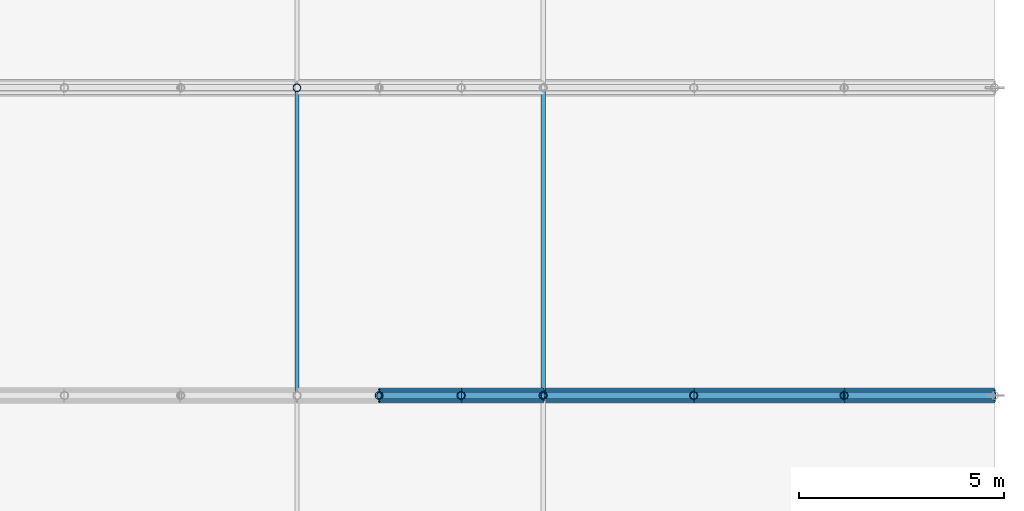
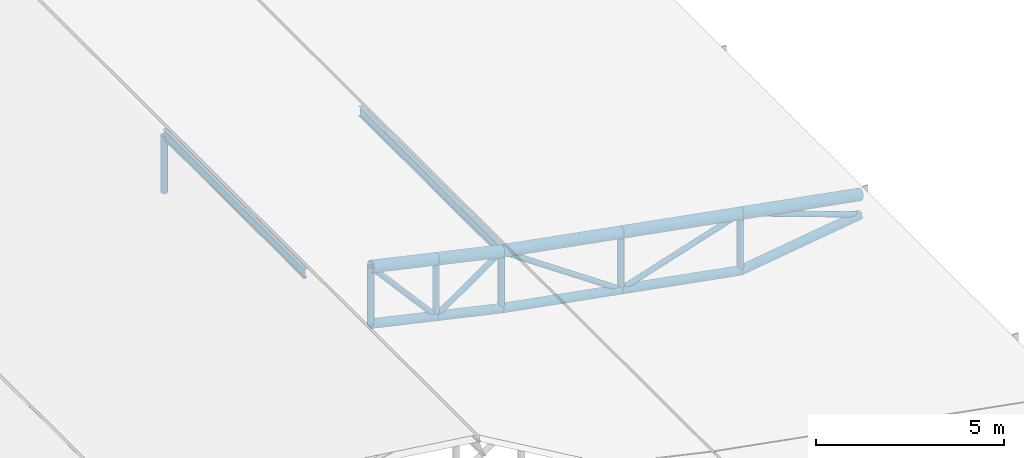
# One storey, part 16 of 28: 18 members, 5 beams.
"""IFC4 building model written with IfcOpenShell, lengths in metres."""

from ifc_helpers import new_model, si_unit, direction, frame, origin, origin_2d, place, context, subcontext, project, spatial, hollow_circle, i_section, extrude, material, material_profile, profile_set, type_object, element, save


model = new_model("IFC4")

# Units and contexts
model_context = context("Model", 3, precision=1e-05, world=origin(), true_north=direction((0.0, 1.0)))
body_context = subcontext(model_context, "Body", "Model", "MODEL_VIEW")
ifc_project = project(units=[si_unit("LENGTHUNIT", "METRE"), si_unit("AREAUNIT", "SQUARE_METRE"), si_unit("VOLUMEUNIT", "CUBIC_METRE"), si_unit("PLANEANGLEUNIT", "RADIAN"), si_unit("MASSUNIT", "GRAM", prefix="KILO"), si_unit("THERMODYNAMICTEMPERATUREUNIT", "KELVIN"), si_unit("POWERUNIT", "WATT")], contexts=[model_context])

# Site, building, storey
site_placement = place(None, origin())
site = spatial("IfcSite", under=ifc_project, at=site_placement, CompositionType="ELEMENT")
building_placement = place(site_placement, origin())
building = spatial("IfcBuilding", under=site, at=building_placement, Name="Tepalcoro Natatorium and Aquatics Centre", CompositionType="ELEMENT")
storey_placement = place(building_placement, frame((0.0, 0.0, 23.199951171875)))
storey = spatial("IfcBuildingStorey", under=building, at=storey_placement, Name="RF", CompositionType="ELEMENT", Elevation=23.199951171875)

# Beams
ifc_material_1 = material(Name="Terracotta Painted Hollow Steel ASTM A500 Grade C (Fy 345 MPa)", Category="masonry")
ifc_material_profile_1 = material_profile(ifc_material_1, hollow_circle(Radius=0.177978515625, WallThickness=0.01611328125, at=origin_2d()), Name="CHS356X16")
ifc_profile_set_1 = profile_set([ifc_material_profile_1], Name="Terracotta Painted Hollow Steel ASTM A500 Grade C (Fy 345 MPa)")
beam_type = type_object("IfcBeamType", Name="AC_CHS356x16", PredefinedType="USERDEFINED", material=ifc_profile_set_1)
for number, where, z_axis, x_axis, name in (
    (1, (161.0, 44.0, -0.73095703125), (0.97561485681, 0.0, -0.21948952406), (0.0, 1.0, 0.0), "V2 Barrel-Arch Top Chord 6"),
    (2, (163.0, 44.0, -1.180908203125), (0.97561485681, 0.0, -0.21948952406), (0.0, 1.0, 0.0), "V2 Barrel-Arch Top Chord 6"),
):
    element("IfcBeam", number, at=place(storey_placement, frame(where, z_axis=z_axis, x_axis=x_axis)), inside=storey, type_object=beam_type, Name=name, ObjectType="ARCH CHORD", PredefinedType="USERDEFINED", context=body_context, shape_type="SweptSolid", body=[
        extrude(hollow_circle(Radius=0.177978515625, WallThickness=0.01611328125, at=origin_2d()), origin(), (0.0, 0.0, 1.0), 2.050048828125),
    ])
beam_1_placement = place(storey_placement, frame((165.0, 44.0, -1.630859375), z_axis=(0.983704964567, 0.0, -0.179790274169), x_axis=(0.0, 1.0, 0.0)))
element("IfcBeam", 3, at=beam_1_placement, inside=storey, type_object=beam_type, Name="V2 Barrel-Arch Top Chord 6", ObjectType="ARCH CHORD", PredefinedType="USERDEFINED", context=body_context, shape_type="SweptSolid", body=[
    extrude(hollow_circle(Radius=0.177978515625, WallThickness=0.01611328125, at=origin_2d()), origin(), (0.0, 0.0, 1.0), 3.7275390625),
])
beam_2_placement = place(storey_placement, frame((168.666748046875, 44.0, -2.301025390625), z_axis=(0.983714430655, 0.0, -0.179738473679), x_axis=(0.0, 1.0, 0.0)))
element("IfcBeam", 4, at=beam_2_placement, inside=storey, type_object=beam_type, Name="V2 Barrel-Arch Top Chord 6", ObjectType="ARCH CHORD", PredefinedType="USERDEFINED", context=body_context, shape_type="SweptSolid", body=[
    extrude(hollow_circle(Radius=0.177978515625, WallThickness=0.01611328125, at=origin_2d()), origin(), (0.0, 0.0, 1.0), 3.727294921875),
])
beam_3_placement = place(storey_placement, frame((172.333251953125, 44.0, -2.970947265625), z_axis=(0.983716546565, 0.0, -0.179726892854), x_axis=(0.0, 1.0, 0.0)))
element("IfcBeam", 5, at=beam_3_placement, inside=storey, type_object=beam_type, Name="V2 Barrel-Arch Top Chord 6", ObjectType="ARCH CHORD", PredefinedType="USERDEFINED", context=body_context, shape_type="SweptSolid", body=[
    extrude(hollow_circle(Radius=0.177978515625, WallThickness=0.01611328125, at=origin_2d()), origin(), (0.0, 0.0, 1.0), 3.7275390625),
])

# Members
ifc_material_profile_2 = material_profile(ifc_material_1, hollow_circle(Radius=0.136474609375, WallThickness=0.01611328125, at=origin_2d()), Name="CHS273X16")
ifc_profile_set_2 = profile_set([ifc_material_profile_2], Name="Terracotta Painted Hollow Steel ASTM A500 Grade C (Fy 345 MPa)")
member_type_1 = type_object("IfcMemberType", Name="MB_CH_CHS273x16", PredefinedType="CHORD", material=ifc_profile_set_2)
for number, where, z_axis, x_axis, name in (
    (6, (161.0, 44.0, -2.5810546875), (0.97561485681, 0.0, -0.21948952406), (0.0, 1.0, 0.0), "V2 Barrel-Arch Bottom Chord 6"),
    (7, (163.0, 44.0, -3.031005859375), (0.97561485681, 0.0, -0.21948952406), (0.0, 1.0, 0.0), "V2 Barrel-Arch Bottom Chord 6"),
):
    element("IfcMember", number, at=place(storey_placement, frame(where, z_axis=z_axis, x_axis=x_axis)), inside=storey, type_object=member_type_1, Name=name, PredefinedType="CHORD", context=body_context, shape_type="SweptSolid", body=[
        extrude(hollow_circle(Radius=0.136474609375, WallThickness=0.01611328125, at=origin_2d()), origin(), (0.0, 0.0, 1.0), 2.050048828125),
    ])
member_1_placement = place(storey_placement, frame((165.0, 44.0, -3.48095703125), z_axis=(0.983716546565, 0.0, -0.179726892854), x_axis=(0.0, 1.0, 0.0)))
element("IfcMember", 8, at=member_1_placement, inside=storey, type_object=member_type_1, Name="V2 Barrel-Arch Bottom Chord 6", PredefinedType="CHORD", context=body_context, shape_type="SweptSolid", body=[
    extrude(hollow_circle(Radius=0.136474609375, WallThickness=0.01611328125, at=origin_2d()), origin(), (0.0, 0.0, 1.0), 3.7275390625),
])
member_2_placement = place(storey_placement, frame((168.666748046875, 44.0, -4.15087890625), z_axis=(0.98370284719, 0.0, -0.179801858805), x_axis=(0.0, 1.0, 0.0)))
element("IfcMember", 9, at=member_2_placement, inside=storey, type_object=member_type_1, Name="V2 Barrel-Arch Bottom Chord 6", PredefinedType="CHORD", context=body_context, shape_type="SweptSolid", body=[
    extrude(hollow_circle(Radius=0.136474609375, WallThickness=0.01611328125, at=origin_2d()), origin(), (0.0, 0.0, 1.0), 3.727294921875),
])
member_3_placement = place(storey_placement, frame((172.333251953125, 44.0, -4.821044921875), z_axis=(0.98971353676, 0.0, 0.143063325675), x_axis=(0.0, 1.0, 0.0)))
element("IfcMember", 10, at=member_3_placement, inside=storey, type_object=member_type_1, Name="V2 Barrel-Arch Bottom Chord 6", PredefinedType="CHORD", context=body_context, shape_type="SweptSolid", body=[
    extrude(hollow_circle(Radius=0.136474609375, WallThickness=0.01611328125, at=origin_2d()), origin(), (0.0, 0.0, 1.0), 3.704833984375),
])
ifc_material_2 = material(Name="Steel ASTM A992 Grade 50 (Fy 345 MPa)", Category="steel")
ifc_material_profile_3 = material_profile(ifc_material_2, i_section(OverallWidth=0.10205078125, OverallDepth=0.31201171875, WebThickness=0.007080078125, FlangeThickness=0.010986328125, FilletRadius=0.013916015625, at=origin_2d()), Name="W12X22")
ifc_profile_set_3 = profile_set([ifc_material_profile_3], Name="Steel ASTM A992 Grade 50 (Fy 345 MPa)")
member_type_2 = type_object("IfcMemberType", Name="MB_PR_W12x22", PredefinedType="PURLIN", material=ifc_profile_set_3)
for number, where, z_axis, x_axis, name in (
    (11, (159.0, 44.0, -0.259033203125), (0.0, 1.0, 0.0), (-1.0, 0.0, 0.0), "V2 Barrel-Arch Roof Purlin"),
    (12, (165.0, 44.0, -1.60888671875), (0.0, 1.0, 0.0), (-1.0, 0.0, 0.0), "V2 Barrel-Arch Roof Purlin"),
):
    element("IfcMember", number, at=place(storey_placement, frame(where, z_axis=z_axis, x_axis=x_axis)), inside=storey, type_object=member_type_2, Name=name, PredefinedType="PURLIN", context=body_context, shape_type="SweptSolid", body=[
        extrude(i_section(OverallWidth=0.10205078125, OverallDepth=0.31201171875, WebThickness=0.007080078125, FlangeThickness=0.010986328125, FilletRadius=0.013916015625, at=origin_2d()), origin(), (0.0, 0.0, 1.0), 7.5),
    ])
ifc_material_profile_4 = material_profile(ifc_material_1, hollow_circle(Radius=0.096923828125, WallThickness=0.010009765625, at=origin_2d()), Name="CHS194X10")
ifc_profile_set_4 = profile_set([ifc_material_profile_4], Name="Terracotta Painted Hollow Steel ASTM A500 Grade C (Fy 345 MPa)")
member_type_3 = type_object("IfcMemberType", Name="MB_PS_CHS194x10", PredefinedType="POST", material=ifc_profile_set_4)
for number, where, z_axis, x_axis, name in (
    (13, (161.0, 44.0, -2.5810546875), (0.0, 0.0, 1.0), (1.0, 0.0, 0.0), "V2 Barrel-Arch Post 6"),
    (14, (163.0, 44.0, -3.031005859375), (0.0, 0.0, 1.0), (1.0, 0.0, 0.0), "V2 Barrel-Arch Post 6"),
    (15, (165.0, 44.0, -3.48095703125), (0.0, 0.0, 1.0), (1.0, 0.0, 0.0), "V2 Barrel-Arch Post 6"),
):
    element("IfcMember", number, at=place(storey_placement, frame(where, z_axis=z_axis, x_axis=x_axis)), inside=storey, type_object=member_type_3, Name=name, PredefinedType="POST", context=body_context, shape_type="SweptSolid", body=[
        extrude(hollow_circle(Radius=0.096923828125, WallThickness=0.010009765625, at=origin_2d()), origin(), (0.0, 0.0, 1.0), 1.85009765625),
    ])
member_4_placement = place(storey_placement, frame((168.666748046875, 44.0, -4.15087890625), z_axis=(0.0, 0.0, 1.0), x_axis=(1.0, 0.0, 0.0)))
element("IfcMember", 16, at=member_4_placement, inside=storey, type_object=member_type_3, Name="V2 Barrel-Arch Post 6", PredefinedType="POST", context=body_context, shape_type="SweptSolid", body=[
    extrude(hollow_circle(Radius=0.096923828125, WallThickness=0.010009765625, at=origin_2d()), origin(), (0.0, 0.0, 1.0), 1.849853515625),
])
for number, where, z_axis, x_axis, name in (
    (17, (172.333251953125, 44.0, -4.821044921875), (0.0, 0.0, 1.0), (1.0, 0.0, 0.0), "V2 Barrel-Arch Post 6"),
    (18, (159.0, 51.5, -2.156005859375), (0.0, 0.0, 1.0), (1.0, 0.0, 0.0), "V2 Barrel-Arch Post 7"),
):
    element("IfcMember", number, at=place(storey_placement, frame(where, z_axis=z_axis, x_axis=x_axis)), inside=storey, type_object=member_type_3, Name=name, PredefinedType="POST", context=body_context, shape_type="SweptSolid", body=[
        extrude(hollow_circle(Radius=0.096923828125, WallThickness=0.010009765625, at=origin_2d()), origin(), (0.0, 0.0, 1.0), 1.85009765625),
    ])
ifc_material_profile_5 = material_profile(ifc_material_1, hollow_circle(Radius=0.083984375, WallThickness=0.011962890625, at=origin_2d()), Name="CHS168X12")
ifc_profile_set_5 = profile_set([ifc_material_profile_5], Name="Terracotta Painted Hollow Steel ASTM A500 Grade C (Fy 345 MPa)")
member_type_4 = type_object("IfcMemberType", Name="MB_ST_CHS168x12", PredefinedType="STRUT", material=ifc_profile_set_5)
member_5_placement = place(storey_placement, frame((161.0, 44.0, -0.73095703125), z_axis=(0.65617078259, 0.0, -0.754612419773), x_axis=(0.0, 1.0, 0.0)))
element("IfcMember", 19, at=member_5_placement, inside=storey, type_object=member_type_4, Name="V2 Barrel-Arch Web Diagonal 6", PredefinedType="STRUT", context=body_context, shape_type="SweptSolid", body=[
    extrude(hollow_circle(Radius=0.083984375, WallThickness=0.011962890625, at=origin_2d()), origin(), (0.0, 0.0, 1.0), 3.048095703125),
])
member_6_placement = place(storey_placement, frame((163.0, 44.0, -3.031005859375), z_axis=(0.819203731481, 0.0, 0.57350261231), x_axis=(0.0, 1.0, 0.0)))
element("IfcMember", 20, at=member_6_placement, inside=storey, type_object=member_type_4, Name="V2 Barrel-Arch Web Diagonal 6", PredefinedType="STRUT", context=body_context, shape_type="SweptSolid", body=[
    extrude(hollow_circle(Radius=0.083984375, WallThickness=0.011962890625, at=origin_2d()), origin(), (0.0, 0.0, 1.0), 2.44140625),
])
member_7_placement = place(storey_placement, frame((165.0, 44.0, -1.630859375), z_axis=(0.82413317395, 0.0, -0.566396073075), x_axis=(0.0, 1.0, 0.0)))
element("IfcMember", 21, at=member_7_placement, inside=storey, type_object=member_type_4, Name="V2 Barrel-Arch Web Diagonal 6", PredefinedType="STRUT", context=body_context, shape_type="SweptSolid", body=[
    extrude(hollow_circle(Radius=0.083984375, WallThickness=0.011962890625, at=origin_2d()), origin(), (0.0, 0.0, 1.0), 4.44921875),
])
member_8_placement = place(storey_placement, frame((168.666748046875, 44.0, -4.15087890625), z_axis=(0.951921664085, 0.0, 0.306341550308), x_axis=(0.0, 1.0, 0.0)))
element("IfcMember", 22, at=member_8_placement, inside=storey, type_object=member_type_4, Name="V2 Barrel-Arch Web Diagonal 6", PredefinedType="STRUT", context=body_context, shape_type="SweptSolid", body=[
    extrude(hollow_circle(Radius=0.083984375, WallThickness=0.011962890625, at=origin_2d()), origin(), (0.0, 0.0, 1.0), 3.851806640625),
])
member_9_placement = place(storey_placement, frame((172.333251953125, 44.0, -2.970947265625), z_axis=(0.9408842174, 0.0, -0.338728341666), x_axis=(0.0, 1.0, 0.0)))
element("IfcMember", 23, at=member_9_placement, inside=storey, type_object=member_type_4, Name="V2 Barrel-Arch Web Diagonal 6", PredefinedType="STRUT", context=body_context, shape_type="SweptSolid", body=[
    extrude(hollow_circle(Radius=0.083984375, WallThickness=0.011962890625, at=origin_2d()), origin(), (0.0, 0.0, 1.0), 3.897216796875),
])

save(model, "model.ifc")
